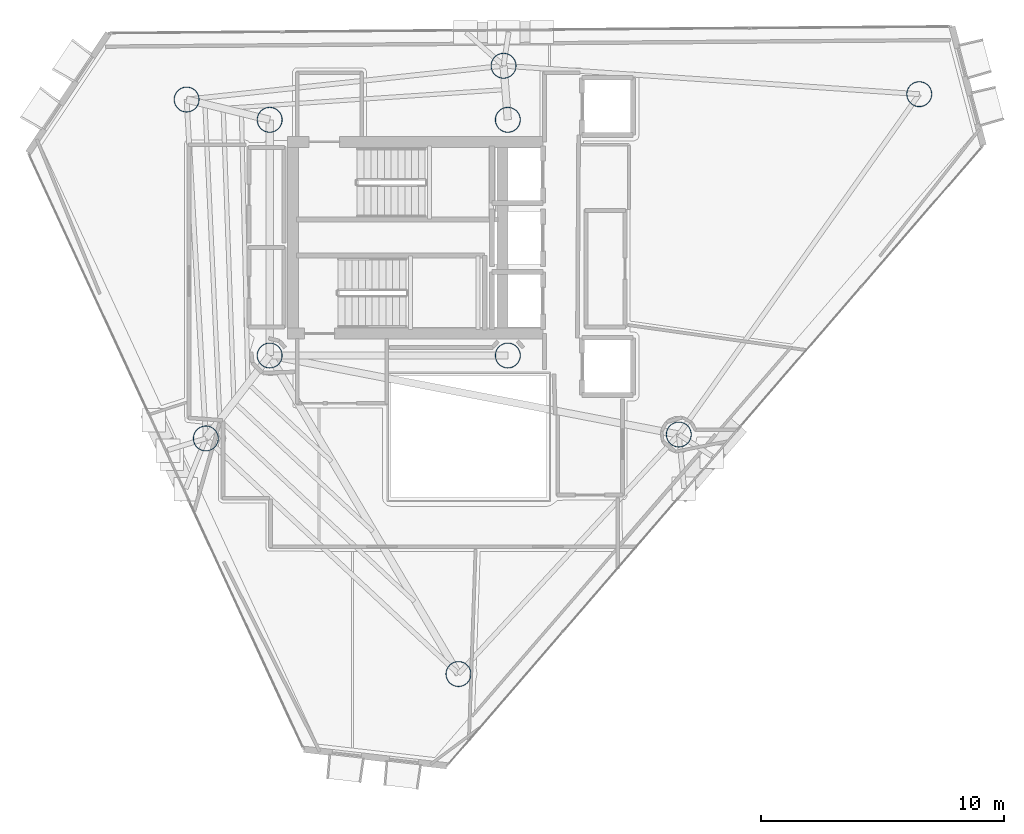
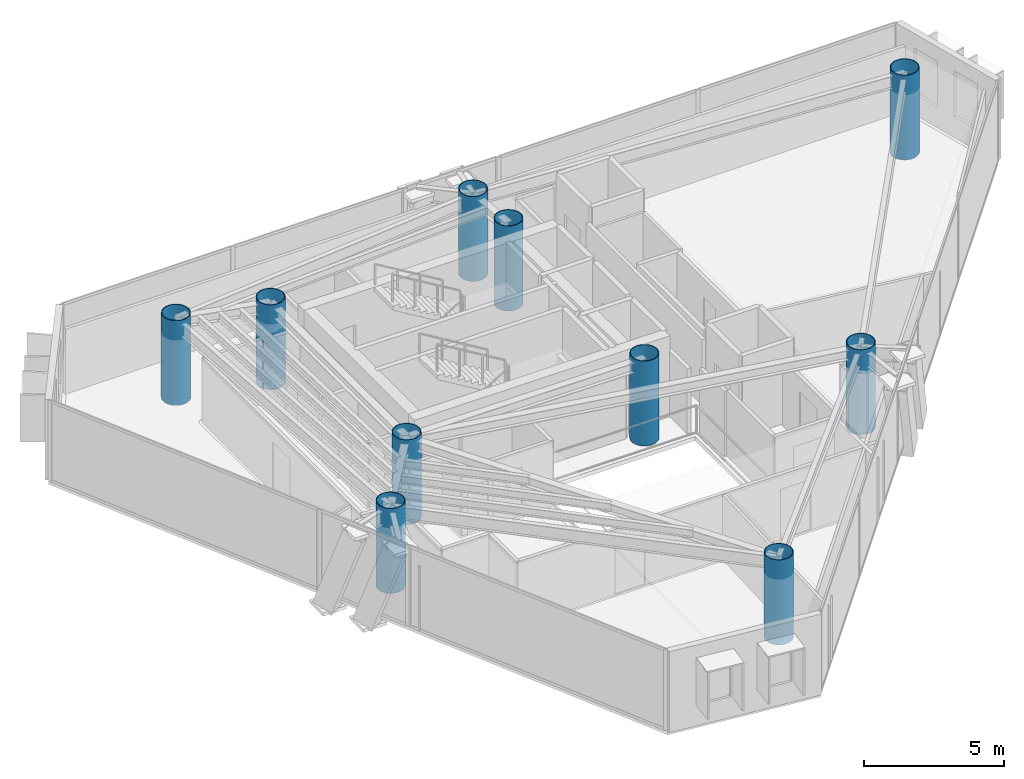
# One storey, part 1 of 21: 10 columns.
"""IFC4 building model written with IfcOpenShell, lengths in metres."""

import ifcopenshell
import ifcopenshell.guid

model = None  # the IFC model being written
_history = None  # IfcOwnerHistory: only IFC2X3 demands one
_inside = {}  # id of a spatial element -> (the spatial element, [elements in it])
_under = {}  # id of a project, library or spatial element -> (it, [spatial elements below it])
_declared = {}  # id of a project -> (the project, [libraries it declares])
_typed = {}  # id of a type object -> (the type object, [elements of that type])
_made_of = {}  # id of a material, layer set ... -> (it, [elements and type objects made of it])


def new_model(schema):
    """Start an empty IFC model of exactly this schema.

    Asked for "IFC4X3", IfcOpenShell would pick the latest addendum, in which some entities
    have other attributes; the version numbers below select the first issue.
    IFC2X3 requires an IfcOwnerHistory on every rooted entity: one is made here for all.
    """
    global model, _history
    if schema == "IFC4X3":
        model = ifcopenshell.file(schema_version=(4, 3, 0, 0))
    else:
        model = ifcopenshell.file(schema=schema)
    _inside.clear()
    _under.clear()
    _declared.clear()
    _typed.clear()
    _made_of.clear()
    _history = None
    if model.schema == "IFC2X3":
        org = make("IfcOrganization", Name="unknown")
        user = make(
            "IfcPersonAndOrganization",
            ThePerson=make("IfcPerson", FamilyName="unknown"),
            TheOrganization=org,
        )
        app = make(
            "IfcApplication",
            ApplicationDeveloper=org,
            Version="unknown",
            ApplicationFullName="unknown",
            ApplicationIdentifier="unknown",
        )
        _history = make(
            "IfcOwnerHistory",
            OwningUser=user,
            OwningApplication=app,
            ChangeAction="ADDED",
            CreationDate=0,
        )
    return model


def make(cls, **values):
    """One entity of the class cls with the attributes given. An attribute that is None is left unset."""
    return model.create_entity(
        cls, **{name: value for name, value in values.items() if value is not None}
    )


def rooted(cls, **values):
    """An entity with a GlobalId (a new one), such as an element, a storey or a relation."""
    return make(cls, GlobalId=ifcopenshell.guid.new(), OwnerHistory=_history, **values)


def si_unit(unit_type, name, prefix=None):
    """IfcSIUnit, for example si_unit("LENGTHUNIT", "METRE", prefix="MILLI")."""
    return make("IfcSIUnit", UnitType=unit_type, Prefix=prefix, Name=name)


def assignment(units):
    """IfcUnitAssignment: the units of a project."""
    return None if units is None else make("IfcUnitAssignment", Units=units)


def point(xyz):
    """IfcCartesianPoint."""
    return None if xyz is None else make("IfcCartesianPoint", Coordinates=xyz)


def direction(xyz):
    """IfcDirection."""
    return None if xyz is None else make("IfcDirection", DirectionRatios=xyz)


def frame(location, z_axis=None, x_axis=None):
    """IfcAxis2Placement3D, a coordinate frame: its origin and axes. An axis left out is left unset."""
    return make(
        "IfcAxis2Placement3D",
        Location=point(location),
        Axis=direction(z_axis),
        RefDirection=direction(x_axis),
    )


def frame_2d(location, x_axis=None):
    """IfcAxis2Placement2D, a coordinate frame in the plane: its origin and x axis."""
    return make(
        "IfcAxis2Placement2D", Location=point(location), RefDirection=direction(x_axis)
    )


def origin():
    """The frame at (0, 0, 0) with its axes left unset."""
    return frame((0.0, 0.0, 0.0))


def origin_2d():
    """The frame at (0, 0) in the plane with its x axis left unset."""
    return frame_2d((0.0, 0.0))


def place(relative_to, where):
    """IfcLocalPlacement: puts the frame where relative to a parent placement (None: the world)."""
    return make(
        "IfcLocalPlacement", PlacementRelTo=relative_to, RelativePlacement=where
    )


def context(
    kind, dimensions, precision=None, world=None, true_north=None, identifier=None
):
    """IfcGeometricRepresentationContext, for example the 3D "Model" context."""
    return make(
        "IfcGeometricRepresentationContext",
        ContextIdentifier=identifier,
        ContextType=kind,
        CoordinateSpaceDimension=dimensions,
        Precision=precision,
        WorldCoordinateSystem=world,
        TrueNorth=true_north,
    )


def subcontext(parent, identifier, kind, view, scale=None):
    """IfcGeometricRepresentationSubContext, for example "Body" below "Model"."""
    return make(
        "IfcGeometricRepresentationSubContext",
        ContextIdentifier=identifier,
        ContextType=kind,
        ParentContext=parent,
        TargetScale=scale,
        TargetView=view,
    )


def project(units=None, contexts=None):
    """IfcProject with its units and contexts."""
    return rooted(
        "IfcProject",
        Name="project",
        RepresentationContexts=contexts,
        UnitsInContext=assignment(units),
    )


def spatial(cls, under=None, at=None, **own):
    """A site, building, storey or space (cls), placed at a placement, below another one or the project."""
    s = rooted(cls, ObjectPlacement=at, **own)
    if under is not None:
        _under.setdefault(under.id(), (under, []))[1].append(s)
    return s


def profile(cls, at=None, kind="AREA", **sizes):
    """A parametric profile (cls). Its sizes go by their IFC names, for example OverallWidth=200.0."""
    return make(cls, ProfileType=kind, Position=at, **sizes)


def hollow_circle(**sizes):
    """IfcCircleHollowProfileDef."""
    return profile("IfcCircleHollowProfileDef", **sizes)


def extrude(swept, where, along, depth):
    """IfcExtrudedAreaSolid: the profile swept, set in the frame where, extruded along a direction by depth."""
    return make(
        "IfcExtrudedAreaSolid",
        SweptArea=swept,
        Position=where,
        ExtrudedDirection=direction(along),
        Depth=depth,
    )


def shape(context_of_items, identifier, shape_type, items):
    """IfcShapeRepresentation: the items that make up one representation, for example the "Body"."""
    return make(
        "IfcShapeRepresentation",
        ContextOfItems=context_of_items,
        RepresentationIdentifier=identifier,
        RepresentationType=shape_type,
        Items=items,
    )


def material(Name=None, Category=None):
    """IfcMaterial."""
    return make("IfcMaterial", Name=Name, Category=Category)


def material_profile(
    of_material, cross_section, Name=None, Category=None, Priority=None
):
    """IfcMaterialProfile: a cross section and its material."""
    return make(
        "IfcMaterialProfile",
        Name=Name,
        Material=of_material,
        Profile=cross_section,
        Priority=Priority,
        Category=Category,
    )


def profile_set(profiles, Name=None, composite=None):
    """IfcMaterialProfileSet."""
    return make(
        "IfcMaterialProfileSet",
        Name=Name,
        MaterialProfiles=profiles,
        CompositeProfile=composite,
    )


def made_of(thing, what):
    """Note that an element or type object is made of a material, layer set ...; save() writes the relation."""
    if what is not None:
        _made_of.setdefault(what.id(), (what, []))[1].append(thing)
    return thing


def type_object(cls, material=None, **own):
    """A type object (cls), such as IfcWallType, which elements share."""
    return made_of(rooted(cls, **own), material)


def element(
    cls,
    number,
    at=None,
    inside=None,
    cuts=None,
    type_object=None,
    material=None,
    context=None,
    identifier="Body",
    shape_type=None,
    held_by="IfcProductDefinitionShape",
    body=None,
    shapes=None,
    **own,
):
    """One element of the class cls, such as IfcWall. Its Tag is "e" and its number.

    at: its placement. inside: the storey or other place that contains it. cuts: it is an
    opening in that element (IfcRelVoidsElement). A single representation is given by context,
    identifier, shape_type and body (its items); several are given by shapes. held_by: the class
    of the entity that holds the representations. save() writes the other relations.
    """
    e = rooted(cls, Tag="e%d" % number, ObjectPlacement=at, **own)
    if body is not None:
        shapes = [shape(context, identifier, shape_type, body)]
    if shapes is not None:
        e.Representation = make(held_by, Representations=shapes)
    if inside is not None:
        _inside.setdefault(inside.id(), (inside, []))[1].append(e)
    if cuts is not None:
        rooted(
            "IfcRelVoidsElement", RelatingBuildingElement=cuts, RelatedOpeningElement=e
        )
    if type_object is not None:
        _typed.setdefault(type_object.id(), (type_object, []))[1].append(e)
    return made_of(e, material)


def aggregate(whole, parts):
    """IfcRelAggregates: a whole, such as a stair, and the parts it consists of."""
    return rooted("IfcRelAggregates", RelatingObject=whole, RelatedObjects=parts)


def save(model, path):
    """Write the relations noted so far, then the file.

    IfcRelAggregates (storeys below a building ...), IfcRelContainedInSpatialStructure (elements
    in a storey), IfcRelDefinesByType, IfcRelAssociatesMaterial and IfcRelDeclares: one each for
    every whole, place, type object, material and project.
    """
    for whole, parts in _under.values():
        aggregate(whole, parts)
    for where, things in _inside.values():
        rooted(
            "IfcRelContainedInSpatialStructure",
            RelatedElements=things,
            RelatingStructure=where,
        )
    for kind, things in _typed.values():
        rooted("IfcRelDefinesByType", RelatedObjects=things, RelatingType=kind)
    for what, things in _made_of.values():
        rooted("IfcRelAssociatesMaterial", RelatedObjects=things, RelatingMaterial=what)
    for by, libraries in _declared.values():
        rooted("IfcRelDeclares", RelatingContext=by, RelatedDefinitions=libraries)
    model.write(path)


model = new_model("IFC4")

# Units and contexts
model_context = context("Model", 3, precision=1e-05, world=origin(), true_north=direction((0.0, 1.0)))
body_context = subcontext(model_context, "Body", "Model", "MODEL_VIEW")
ifc_project = project(units=[si_unit("LENGTHUNIT", "METRE"), si_unit("AREAUNIT", "SQUARE_METRE"), si_unit("VOLUMEUNIT", "CUBIC_METRE"), si_unit("PLANEANGLEUNIT", "RADIAN"), si_unit("MASSUNIT", "GRAM", prefix="KILO")], contexts=[model_context])

# Site, building, storey
site_placement = place(None, origin())
site = spatial("IfcSite", under=ifc_project, at=site_placement, CompositionType="ELEMENT")
building_placement = place(site_placement, origin())
building = spatial("IfcBuilding", under=site, at=building_placement, Name="Qianvela Tower", CompositionType="ELEMENT")
storey_placement = place(building_placement, frame((0.0, 0.0, 253.800048828125)))
storey = spatial("IfcBuildingStorey", under=building, at=storey_placement, Name="L65", CompositionType="ELEMENT", Elevation=253.800048828125)

# Columns
ifc_material = material(Name="Steel Q420GJC", Category="steel")
ifc_material_profile = material_profile(ifc_material, hollow_circle(Radius=0.52490234375, WallThickness=0.028076171875, at=origin_2d()), Name="CFT-1050x28")
ifc_profile_set = profile_set([ifc_material_profile], Name="Steel Q420GJC")
column_type = type_object("IfcColumnType", Name="COL-CFT-1050x28", PredefinedType="COLUMN", material=ifc_profile_set)
for number, where, z_axis, x_axis, name in (
    (1, (28.60009765625, 33.550048828125, 0.0), (0.0, 0.0, 1.0), (1.0, 0.0, 0.0), "L65 Core Corner Mega-Column CC-NW"),
    (2, (28.60009765625, 23.85009765625, 0.0), (0.0, 0.0, 1.0), (1.0, 0.0, 0.0), "L65 Core Corner Mega-Column CC-SW"),
    (3, (38.39990234375, 33.550048828125, 0.0), (0.0, 0.0, 1.0), (1.0, 0.0, 0.0), "L65 Core Corner Mega-Column CC-NE"),
    (4, (38.39990234375, 23.85009765625, 0.0), (0.0, 0.0, 1.0), (1.0, 0.0, 0.0), "L65 Core Corner Mega-Column CC-SE"),
    (5, (55.33203125, 34.60498046875, 0.0), (0.0, 0.0, 1.0), (1.0, 0.0, 0.0), "L65 Zone Z6 CFT Mega-Column C1"),
    (6, (38.22509765625, 35.77294921875, 0.0), (0.0, 0.0, 1.0), (1.0, 0.0, 0.0), "L65 Zone Z6 CFT Mega-Column C2"),
    (7, (25.181884765625, 34.384033203125, 0.0), (0.0, 0.0, 1.0), (1.0, 0.0, 0.0), "L65 Zone Z6 CFT Mega-Column C3"),
    (8, (25.971923828125, 20.43701171875, 0.0), (0.0, 0.0, 1.0), (1.0, 0.0, 0.0), "L65 Zone Z6 CFT Mega-Column C4"),
    (9, (36.368896484375, 10.741943359375, 0.0), (0.0, 0.0, 1.0), (1.0, 0.0, 0.0), "L65 Zone Z6 CFT Mega-Column C5"),
    (10, (45.43603515625, 20.597900390625, 0.0), (0.0, 0.0, 1.0), (1.0, 0.0, 0.0), "L65 Zone Z6 CFT Mega-Column C6"),
):
    element("IfcColumn", number, at=place(storey_placement, frame(where, z_axis=z_axis, x_axis=x_axis)), inside=storey, type_object=column_type, Name=name, PredefinedType="COLUMN", context=body_context, shape_type="SweptSolid", body=[
        extrude(hollow_circle(Radius=0.52490234375, WallThickness=0.028076171875, at=origin_2d()), origin(), (0.0, 0.0, 1.0), 3.699951171875),
    ])

save(model, "model.ifc")
